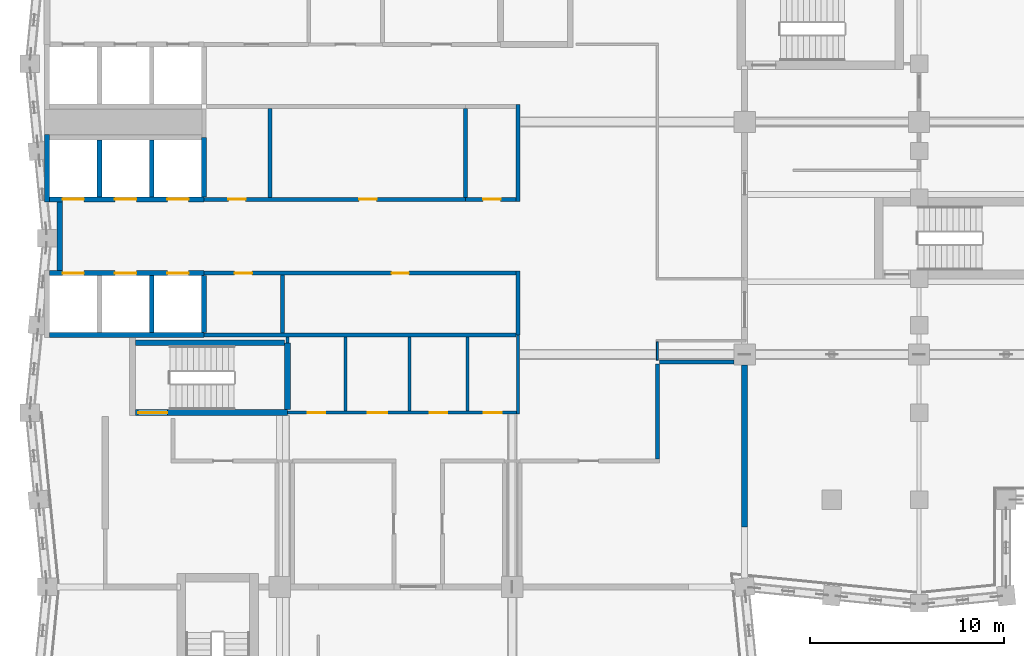
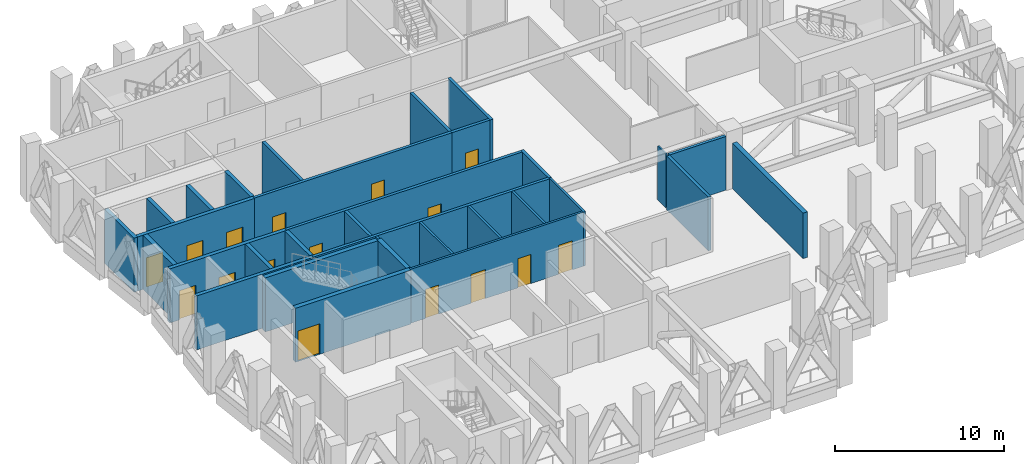
# One storey, part 9 of 18: 32 walls, 16 doors, 16 openings.
"""IFC4 building model written with IfcOpenShell, lengths in metres."""

from ifc_helpers import new_model, si_unit, direction, frame, frame_2d, origin, place, context, subcontext, project, spatial, rectangle, extrude, material, layer, layer_set, type_object, element, fill, save


model = new_model("IFC4")

# Units and contexts
model_context = context("Model", 3, precision=1e-05, world=origin(), true_north=direction((0.0, 1.0)))
body_context = subcontext(model_context, "Body", "Model", "MODEL_VIEW")
ifc_project = project(units=[si_unit("LENGTHUNIT", "METRE"), si_unit("AREAUNIT", "SQUARE_METRE"), si_unit("VOLUMEUNIT", "CUBIC_METRE"), si_unit("PLANEANGLEUNIT", "RADIAN"), si_unit("MASSUNIT", "GRAM", prefix="KILO")], contexts=[model_context])

# Site, building, storey
site_placement = place(None, origin())
site = spatial("IfcSite", under=ifc_project, at=site_placement, CompositionType="ELEMENT")
building_placement = place(site_placement, origin())
building = spatial("IfcBuilding", under=site, at=building_placement, Name="Brondeck Convention Tower", CompositionType="ELEMENT")
storey_placement = place(building_placement, frame((0.0, 0.0, 248.199951171875)))
storey = spatial("IfcBuildingStorey", under=building, at=storey_placement, Name="L61", CompositionType="ELEMENT", Elevation=248.199951171875)

# Wall
ifc_material_1 = material(Name="Concrete compartment wall C30/37", Category="concrete")
ifc_layer_1 = layer(ifc_material_1, 0.300048828125)
ifc_layer_set_1 = layer_set([ifc_layer_1], Name="Compartment wall 300")
wall_type_1 = type_object("IfcWallType", Name="Compartment wall 300", PredefinedType="PARTITIONING", material=ifc_layer_set_1)
wall_1_placement = place(storey_placement, frame((36.0, 38.445068359375, 0.0), z_axis=(0.0, 0.0, 1.0), x_axis=(0.0, -1.0, 0.0)))
element("IfcWall", 1, at=wall_1_placement, inside=storey, type_object=wall_type_1, Name="FLR-L61-W026", PredefinedType="PARTITIONING", context=body_context, shape_type="SweptSolid", body=[
    extrude(rectangle(XDim=8.344970703125, YDim=0.300048828125, at=frame_2d((4.17236328125, 0.0))), origin(), (0.0, 0.0, 1.0), 3.280029296875),
])

# Wall, openings, doors
ifc_material_2 = material(Name="Concrete C50/60", Category="concrete")
ifc_layer_2 = layer(ifc_material_2, 0.14990234375)
ifc_layer_set_2 = layer_set([ifc_layer_2], Name="Core beam-seat wall 150 Concrete C50/60")
wall_type_2 = type_object("IfcWallType", Name="Core beam-seat wall 150 Concrete C50/60", PredefinedType="SHEAR", material=ifc_layer_set_2)
wall_2_placement = place(storey_placement, frame((12.39990234375, 36.0, 0.0), z_axis=(0.0, 0.0, 1.0), x_axis=(1.0, 0.0, 0.0)))
wall_2 = element("IfcWall", 2, at=wall_2_placement, inside=storey, type_object=wall_type_2, Name="L61 core wall", PredefinedType="SHEAR", context=body_context, shape_type="SweptSolid", body=[
    extrude(rectangle(XDim=11.8251953125, YDim=0.14990234375, at=frame_2d((5.91259765625, 0.0))), origin(), (0.0, 0.0, 1.0), 3.900146484375),
])
opening_1_placement = place(wall_2_placement, frame((1.050048828125, 0.0, 0.0)))
opening_1 = element("IfcOpeningElement", 3, at=opening_1_placement, cuts=wall_2, Name="Opening C33-03", PredefinedType="OPENING", context=body_context, shape_type="SweptSolid", body=[
    extrude(rectangle(XDim=0.89990234375, YDim=2.10009765625, at=frame_2d((0.449951171875, 1.050048828125))), frame((0.0, 0.0849609375, 0.0), z_axis=(0.0, -1.0, 0.0), x_axis=(1.0, 0.0, 0.0)), (0.0, 0.0, 1.0), 0.169921875),
])
opening_2_placement = place(wall_2_placement, frame((4.14990234375, 0.0, 0.0)))
opening_2 = element("IfcOpeningElement", 4, at=opening_2_placement, cuts=wall_2, Name="Opening C33-04", PredefinedType="OPENING", context=body_context, shape_type="SweptSolid", body=[
    extrude(rectangle(XDim=1.0, YDim=2.10009765625, at=frame_2d((0.5, 1.050048828125))), frame((0.0, 0.0849609375, 0.0), z_axis=(0.0, -1.0, 0.0), x_axis=(1.0, 0.0, 0.0)), (0.0, 0.0, 1.0), 0.169921875),
])
opening_3_placement = place(wall_2_placement, frame((7.35009765625, 0.0, 0.0)))
opening_3 = element("IfcOpeningElement", 5, at=opening_3_placement, cuts=wall_2, Name="Opening C33-05", PredefinedType="OPENING", context=body_context, shape_type="SweptSolid", body=[
    extrude(rectangle(XDim=0.89990234375, YDim=2.10009765625, at=frame_2d((0.449951171875, 1.050048828125))), frame((0.0, 0.0849609375, 0.0), z_axis=(0.0, -1.0, 0.0), x_axis=(1.0, 0.0, 0.0)), (0.0, 0.0, 1.0), 0.169921875),
])
opening_4_placement = place(wall_2_placement, frame((10.125, 0.0, 0.0)))
opening_4 = element("IfcOpeningElement", 6, at=opening_4_placement, cuts=wall_2, Name="Opening C33-06", PredefinedType="OPENING", context=body_context, shape_type="SweptSolid", body=[
    extrude(rectangle(XDim=0.949951171875, YDim=2.10009765625, at=frame_2d((0.47509765625, 1.050048828125))), frame((0.0, 0.0849609375, 0.0), z_axis=(0.0, -1.0, 0.0), x_axis=(1.0, 0.0, 0.0)), (0.0, 0.0, 1.0), 0.169921875),
])
ifc_material_3 = material(Name="Steel fire door", Category="steel")
door_type_1 = type_object("IfcDoorType", Name="Room door 1000x2100 EI 60", OperationType="NOTDEFINED", PredefinedType="DOOR", material=ifc_material_3)
door_1_placement = place(opening_2_placement, origin())
door_1 = element("IfcDoor", 7, at=door_1_placement, inside=storey, type_object=door_type_1, Name="L61 Room door FR-2", OperationType="SINGLE_SWING_LEFT", OverallHeight=2.10009765625, OverallWidth=1.0, PredefinedType="DOOR", context=body_context, shape_type="SweptSolid", body=[
    extrude(rectangle(XDim=1.0, YDim=2.10009765625, at=frame_2d((0.5, 1.050048828125))), frame((0.0, 0.02490234375, 0.0), z_axis=(0.0, -1.0, 0.0), x_axis=(1.0, 0.0, 0.0)), (0.0, 0.0, 1.0), 0.050048828125),
])
fill(opening_2, door_1)
door_type_2 = type_object("IfcDoorType", Name="Room door 900x2100 EI 60", OperationType="NOTDEFINED", PredefinedType="DOOR", material=ifc_material_3)
door_2_placement = place(opening_1_placement, origin())
door_2 = element("IfcDoor", 8, at=door_2_placement, inside=storey, type_object=door_type_2, Name="L61 Room door FR-1", OperationType="SINGLE_SWING_RIGHT", OverallHeight=2.10009765625, OverallWidth=0.89990234375, PredefinedType="DOOR", context=body_context, shape_type="SweptSolid", body=[
    extrude(rectangle(XDim=0.89990234375, YDim=2.10009765625, at=frame_2d((0.449951171875, 1.050048828125))), frame((0.0, 0.02490234375, 0.0), z_axis=(0.0, -1.0, 0.0), x_axis=(1.0, 0.0, 0.0)), (0.0, 0.0, 1.0), 0.050048828125),
])
fill(opening_1, door_2)
door_3_placement = place(opening_3_placement, origin())
door_3 = element("IfcDoor", 9, at=door_3_placement, inside=storey, type_object=door_type_2, Name="L61 Room door FR-3", OperationType="SINGLE_SWING_RIGHT", OverallHeight=2.10009765625, OverallWidth=0.89990234375, PredefinedType="DOOR", context=body_context, shape_type="SweptSolid", body=[
    extrude(rectangle(XDim=0.89990234375, YDim=2.10009765625, at=frame_2d((0.449951171875, 1.050048828125))), frame((0.0, 0.02490234375, 0.0), z_axis=(0.0, -1.0, 0.0), x_axis=(1.0, 0.0, 0.0)), (0.0, 0.0, 1.0), 0.050048828125),
])
fill(opening_3, door_3)
door_type_3 = type_object("IfcDoorType", Name="Room door 950x2100 EI 60", OperationType="NOTDEFINED", PredefinedType="DOOR", material=ifc_material_3)
door_4_placement = place(opening_4_placement, origin())
door_4 = element("IfcDoor", 10, at=door_4_placement, inside=storey, type_object=door_type_3, Name="L61 Room door FR-4", OperationType="SINGLE_SWING_LEFT", OverallHeight=2.10009765625, OverallWidth=0.949951171875, PredefinedType="DOOR", context=body_context, shape_type="SweptSolid", body=[
    extrude(rectangle(XDim=0.949951171875, YDim=2.10009765625, at=frame_2d((0.47509765625, 1.050048828125))), frame((0.0, 0.02490234375, 0.0), z_axis=(0.0, -1.0, 0.0), x_axis=(1.0, 0.0, 0.0)), (0.0, 0.0, 1.0), 0.050048828125),
])
fill(opening_4, door_4)

# Walls
wall_3_placement = place(storey_placement, frame((24.300048828125, 35.925048828125, 0.0), z_axis=(0.0, 0.0, 1.0), x_axis=(0.0, 1.0, 0.0)))
element("IfcWall", 11, at=wall_3_placement, inside=storey, type_object=wall_type_2, Name="L61 core wall", PredefinedType="SHEAR", context=body_context, shape_type="SweptSolid", body=[
    extrude(rectangle(XDim=4.074951171875, YDim=0.14990234375, at=frame_2d((2.03759765625, 0.0))), origin(), (0.0, 0.0, 1.0), 3.900146484375),
])
ifc_layer_3 = layer(ifc_material_2, 0.199951171875)
ifc_layer_set_3 = layer_set([ifc_layer_3], Name="Core beam-seat wall 200 Concrete C50/60")
wall_type_3 = type_object("IfcWallType", Name="Core beam-seat wall 200 Concrete C50/60", PredefinedType="SHEAR", material=ifc_layer_set_3)
wall_4_placement = place(storey_placement, frame((24.300048828125, 46.89990234375, 0.0), z_axis=(0.0, 0.0, 1.0), x_axis=(0.0, 1.0, 0.0)))
element("IfcWall", 12, at=wall_4_placement, inside=storey, type_object=wall_type_3, Name="L61 core wall", PredefinedType="SHEAR", context=body_context, shape_type="SweptSolid", body=[
    extrude(rectangle(XDim=5.0, YDim=0.199951171875, at=frame_2d((2.5, 0.0))), origin(), (0.0, 0.0, 1.0), 3.900146484375),
])
ifc_layer_4 = layer(ifc_material_2, 0.300048828125)
ifc_layer_set_4 = layer_set([ifc_layer_4], Name="Core outer wall 300 Concrete C50/60")
wall_type_4 = type_object("IfcWallType", Name="Core outer wall 300 Concrete C50/60", PredefinedType="SHEAR", material=ifc_layer_set_4)
wall_5_placement = place(storey_placement, frame((0.64990234375, 43.324951171875, 0.0), z_axis=(0.0, 0.0, 1.0), x_axis=(0.0, 1.0, 0.0)))
element("IfcWall", 13, at=wall_5_placement, inside=storey, type_object=wall_type_4, Name="L61 core wall", PredefinedType="SHEAR", context=body_context, shape_type="SweptSolid", body=[
    extrude(rectangle(XDim=3.550048828125, YDim=0.300048828125, at=frame_2d((1.77490234375, 0.0))), origin(), (0.0, 0.0, 1.0), 3.900146484375),
])
ifc_material_4 = material(Name="Fire-rated gypsum board partition")
ifc_layer_5 = layer(ifc_material_4, 0.14990234375)
ifc_layer_set_5 = layer_set([ifc_layer_5], Name="Core partition 150 EI 60")
wall_type_5 = type_object("IfcWallType", Name="Core partition 150 EI 60", PredefinedType="PARTITIONING", material=ifc_layer_set_5)
wall_6_placement = place(storey_placement, frame((12.39990234375, 39.60009765625, 0.0), z_axis=(0.0, 0.0, 1.0), x_axis=(0.0, 1.0, 0.0)))
element("IfcWall", 14, at=wall_6_placement, inside=storey, type_object=wall_type_5, Name="L61 core wall", PredefinedType="PARTITIONING", context=body_context, shape_type="SweptSolid", body=[
    extrude(rectangle(XDim=0.2998046875, YDim=0.14990234375, at=frame_2d((0.14990234375, 0.0))), origin(), (0.0, 0.0, 1.0), 3.900146484375),
])
for number, where, z_axis, x_axis, name in (
    (15, (15.39990234375, 36.074951171875, 0.0), (0.0, 0.0, 1.0), (0.0, 1.0, 0.0), "L61 core wall"),
    (16, (18.699951171875, 36.074951171875, 0.0), (0.0, 0.0, 1.0), (0.0, 1.0, 0.0), "L61 core wall"),
    (17, (21.699951171875, 36.074951171875, 0.0), (0.0, 0.0, 1.0), (0.0, 1.0, 0.0), "L61 core wall"),
):
    element("IfcWall", number, at=place(storey_placement, frame(where, z_axis=z_axis, x_axis=x_axis)), inside=storey, type_object=wall_type_5, Name=name, PredefinedType="PARTITIONING", context=body_context, shape_type="SweptSolid", body=[
        extrude(rectangle(XDim=3.824951171875, YDim=0.14990234375, at=frame_2d((1.91259765625, 0.0))), origin(), (0.0, 0.0, 1.0), 3.900146484375),
    ])
ifc_layer_6 = layer(ifc_material_2, 0.25)
ifc_layer_set_6 = layer_set([ifc_layer_6], Name="Lift shaft wall 250 Concrete C50/60")
wall_type_6 = type_object("IfcWallType", Name="Lift shaft wall 250 Concrete C50/60", PredefinedType="SHEAR", material=ifc_layer_set_6)
wall_7_placement = place(storey_placement, frame((0.125, 40.0, 0.0), z_axis=(0.0, 0.0, 1.0), x_axis=(1.0, 0.0, 0.0)))
element("IfcWall", 18, at=wall_7_placement, inside=storey, type_object=wall_type_6, Name="L61 core wall", PredefinedType="SHEAR", context=body_context, shape_type="SweptSolid", body=[
    extrude(rectangle(XDim=7.97509765625, YDim=0.25, at=frame_2d((3.987548828125, 0.0))), origin(), (0.0, 0.0, 1.0), 3.900146484375),
])

# Wall, openings, doors
wall_8_placement = place(storey_placement, frame((0.125, 43.199951171875, 0.0), z_axis=(0.0, 0.0, 1.0), x_axis=(1.0, 0.0, 0.0)))
wall_8 = element("IfcWall", 19, at=wall_8_placement, inside=storey, type_object=wall_type_6, Name="L61 core wall", PredefinedType="SHEAR", context=body_context, shape_type="SweptSolid", body=[
    extrude(rectangle(XDim=7.97509765625, YDim=0.25, at=frame_2d((3.987548828125, 0.0))), origin(), (0.0, 0.0, 1.0), 3.900146484375),
])
opening_5_placement = place(wall_8_placement, frame((0.675048828125, 0.0, 0.0)))
opening_5 = element("IfcOpeningElement", 20, at=opening_5_placement, cuts=wall_8, Name="Opening C33-22", PredefinedType="OPENING", context=body_context, shape_type="SweptSolid", body=[
    extrude(rectangle(XDim=1.10009765625, YDim=2.10009765625, at=frame_2d((0.550048828125, 1.050048828125))), frame((0.0, 0.135009765625, 0.0), z_axis=(0.0, -1.0, 0.0), x_axis=(1.0, 0.0, 0.0)), (0.0, 0.0, 1.0), 0.27001953125),
])
opening_6_placement = place(wall_8_placement, frame((3.375, 0.0, 0.0)))
opening_6 = element("IfcOpeningElement", 21, at=opening_6_placement, cuts=wall_8, Name="Opening C33-23", PredefinedType="OPENING", context=body_context, shape_type="SweptSolid", body=[
    extrude(rectangle(XDim=1.10009765625, YDim=2.10009765625, at=frame_2d((0.550048828125, 1.050048828125))), frame((0.0, 0.135009765625, 0.0), z_axis=(0.0, -1.0, 0.0), x_axis=(1.0, 0.0, 0.0)), (0.0, 0.0, 1.0), 0.27001953125),
])
opening_7_placement = place(wall_8_placement, frame((6.074951171875, 0.0, 0.0)))
opening_7 = element("IfcOpeningElement", 22, at=opening_7_placement, cuts=wall_8, Name="Opening C33-24", PredefinedType="OPENING", context=body_context, shape_type="SweptSolid", body=[
    extrude(rectangle(XDim=1.10009765625, YDim=2.10009765625, at=frame_2d((0.550048828125, 1.050048828125))), frame((0.0, 0.135009765625, 0.0), z_axis=(0.0, -1.0, 0.0), x_axis=(1.0, 0.0, 0.0)), (0.0, 0.0, 1.0), 0.27001953125),
])
ifc_material_5 = material(Name="Stainless steel lift door", Category="steel")
door_type_4 = type_object("IfcDoorType", Name="Lift landing door 1100x2100 EI 180", OperationType="DOUBLE_DOOR_SLIDING", PredefinedType="DOOR", material=ifc_material_5)
door_5_placement = place(opening_5_placement, origin())
door_5 = element("IfcDoor", 23, at=door_5_placement, inside=storey, type_object=door_type_4, Name="L61 Lift landing door HR1", OperationType="DOUBLE_DOOR_SLIDING", OverallHeight=2.10009765625, OverallWidth=1.10009765625, PredefinedType="DOOR", context=body_context, shape_type="SweptSolid", body=[
    extrude(rectangle(XDim=1.10009765625, YDim=2.10009765625, at=frame_2d((0.550048828125, 1.050048828125))), frame((0.0, 0.02490234375, 0.0), z_axis=(0.0, -1.0, 0.0), x_axis=(1.0, 0.0, 0.0)), (0.0, 0.0, 1.0), 0.050048828125),
])
fill(opening_5, door_5)
door_6_placement = place(opening_6_placement, origin())
door_6 = element("IfcDoor", 24, at=door_6_placement, inside=storey, type_object=door_type_4, Name="L61 Lift landing door HR2", OperationType="DOUBLE_DOOR_SLIDING", OverallHeight=2.10009765625, OverallWidth=1.10009765625, PredefinedType="DOOR", context=body_context, shape_type="SweptSolid", body=[
    extrude(rectangle(XDim=1.10009765625, YDim=2.10009765625, at=frame_2d((0.550048828125, 1.050048828125))), frame((0.0, 0.02490234375, 0.0), z_axis=(0.0, -1.0, 0.0), x_axis=(1.0, 0.0, 0.0)), (0.0, 0.0, 1.0), 0.050048828125),
])
fill(opening_6, door_6)
door_7_placement = place(opening_7_placement, origin())
door_7 = element("IfcDoor", 25, at=door_7_placement, inside=storey, type_object=door_type_4, Name="L61 Lift landing door HR3", OperationType="DOUBLE_DOOR_SLIDING", OverallHeight=2.10009765625, OverallWidth=1.10009765625, PredefinedType="DOOR", context=body_context, shape_type="SweptSolid", body=[
    extrude(rectangle(XDim=1.10009765625, YDim=2.10009765625, at=frame_2d((0.550048828125, 1.050048828125))), frame((0.0, 0.02490234375, 0.0), z_axis=(0.0, -1.0, 0.0), x_axis=(1.0, 0.0, 0.0)), (0.0, 0.0, 1.0), 0.050048828125),
])
fill(opening_7, door_7)

wall_9_placement = place(storey_placement, frame((0.125, 47.0, 0.0), z_axis=(0.0, 0.0, 1.0), x_axis=(1.0, 0.0, 0.0)))
wall_9 = element("IfcWall", 26, at=wall_9_placement, inside=storey, type_object=wall_type_6, Name="L61 core wall", PredefinedType="SHEAR", context=body_context, shape_type="SweptSolid", body=[
    extrude(rectangle(XDim=7.97509765625, YDim=0.25, at=frame_2d((3.987548828125, 0.0))), origin(), (0.0, 0.0, 1.0), 3.900146484375),
])
opening_8_placement = place(wall_9_placement, frame((0.675048828125, 0.0, 0.0)))
opening_8 = element("IfcOpeningElement", 27, at=opening_8_placement, cuts=wall_9, Name="Opening C33-25", PredefinedType="OPENING", context=body_context, shape_type="SweptSolid", body=[
    extrude(rectangle(XDim=1.10009765625, YDim=2.10009765625, at=frame_2d((0.550048828125, 1.050048828125))), frame((0.0, 0.135009765625, 0.0), z_axis=(0.0, -1.0, 0.0), x_axis=(1.0, 0.0, 0.0)), (0.0, 0.0, 1.0), 0.27001953125),
])
opening_9_placement = place(wall_9_placement, frame((3.375, 0.0, 0.0)))
opening_9 = element("IfcOpeningElement", 28, at=opening_9_placement, cuts=wall_9, Name="Opening C33-26", PredefinedType="OPENING", context=body_context, shape_type="SweptSolid", body=[
    extrude(rectangle(XDim=1.10009765625, YDim=2.10009765625, at=frame_2d((0.550048828125, 1.050048828125))), frame((0.0, 0.135009765625, 0.0), z_axis=(0.0, -1.0, 0.0), x_axis=(1.0, 0.0, 0.0)), (0.0, 0.0, 1.0), 0.27001953125),
])
opening_10_placement = place(wall_9_placement, frame((6.074951171875, 0.0, 0.0)))
opening_10 = element("IfcOpeningElement", 29, at=opening_10_placement, cuts=wall_9, Name="Opening C33-27", PredefinedType="OPENING", context=body_context, shape_type="SweptSolid", body=[
    extrude(rectangle(XDim=1.10009765625, YDim=2.10009765625, at=frame_2d((0.550048828125, 1.050048828125))), frame((0.0, 0.135009765625, 0.0), z_axis=(0.0, -1.0, 0.0), x_axis=(1.0, 0.0, 0.0)), (0.0, 0.0, 1.0), 0.27001953125),
])
door_8_placement = place(opening_8_placement, origin())
door_8 = element("IfcDoor", 30, at=door_8_placement, inside=storey, type_object=door_type_4, Name="L61 Lift landing door HR4", OperationType="DOUBLE_DOOR_SLIDING", OverallHeight=2.10009765625, OverallWidth=1.10009765625, PredefinedType="DOOR", context=body_context, shape_type="SweptSolid", body=[
    extrude(rectangle(XDim=1.10009765625, YDim=2.10009765625, at=frame_2d((0.550048828125, 1.050048828125))), frame((0.0, 0.02490234375, 0.0), z_axis=(0.0, -1.0, 0.0), x_axis=(1.0, 0.0, 0.0)), (0.0, 0.0, 1.0), 0.050048828125),
])
fill(opening_8, door_8)
door_9_placement = place(opening_9_placement, origin())
door_9 = element("IfcDoor", 31, at=door_9_placement, inside=storey, type_object=door_type_4, Name="L61 Lift landing door HR5", OperationType="DOUBLE_DOOR_SLIDING", OverallHeight=2.10009765625, OverallWidth=1.10009765625, PredefinedType="DOOR", context=body_context, shape_type="SweptSolid", body=[
    extrude(rectangle(XDim=1.10009765625, YDim=2.10009765625, at=frame_2d((0.550048828125, 1.050048828125))), frame((0.0, 0.02490234375, 0.0), z_axis=(0.0, -1.0, 0.0), x_axis=(1.0, 0.0, 0.0)), (0.0, 0.0, 1.0), 0.050048828125),
])
fill(opening_9, door_9)
door_10_placement = place(opening_10_placement, origin())
door_10 = element("IfcDoor", 32, at=door_10_placement, inside=storey, type_object=door_type_4, Name="L61 Lift landing door HR6", OperationType="DOUBLE_DOOR_SLIDING", OverallHeight=2.10009765625, OverallWidth=1.10009765625, PredefinedType="DOOR", context=body_context, shape_type="SweptSolid", body=[
    extrude(rectangle(XDim=1.10009765625, YDim=2.10009765625, at=frame_2d((0.550048828125, 1.050048828125))), frame((0.0, 0.02490234375, 0.0), z_axis=(0.0, -1.0, 0.0), x_axis=(1.0, 0.0, 0.0)), (0.0, 0.0, 1.0), 0.050048828125),
])
fill(opening_10, door_10)

# Walls
wall_10_placement = place(storey_placement, frame((0.0, 46.875, 0.0), z_axis=(0.0, 0.0, 1.0), x_axis=(0.0, 1.0, 0.0)))
element("IfcWall", 33, at=wall_10_placement, inside=storey, type_object=wall_type_6, Name="L61 core wall", PredefinedType="SHEAR", context=body_context, shape_type="SweptSolid", body=[
    extrude(rectangle(XDim=3.47509765625, YDim=0.25, at=frame_2d((1.737548828125, 0.0))), origin(), (0.0, 0.0, 1.0), 3.900146484375),
])
for number, where, z_axis, x_axis, name in (
    (34, (2.699951171875, 47.125, 0.0), (0.0, 0.0, 1.0), (0.0, 1.0, 0.0), "L61 core wall"),
    (35, (5.39990234375, 40.125, 0.0), (0.0, 0.0, 1.0), (0.0, 1.0, 0.0), "L61 core wall"),
    (36, (5.39990234375, 47.125, 0.0), (0.0, 0.0, 1.0), (0.0, 1.0, 0.0), "L61 core wall"),
    (37, (8.10009765625, 40.125, 0.0), (0.0, 0.0, 1.0), (0.0, 1.0, 0.0), "L61 core wall"),
):
    element("IfcWall", number, at=place(storey_placement, frame(where, z_axis=z_axis, x_axis=x_axis)), inside=storey, type_object=wall_type_6, Name=name, PredefinedType="SHEAR", context=body_context, shape_type="SweptSolid", body=[
        extrude(rectangle(XDim=2.949951171875, YDim=0.25, at=frame_2d((1.47509765625, 0.0))), origin(), (0.0, 0.0, 1.0), 3.900146484375),
    ])
wall_11_placement = place(storey_placement, frame((8.10009765625, 47.125, 0.0), z_axis=(0.0, 0.0, 1.0), x_axis=(0.0, 1.0, 0.0)))
element("IfcWall", 38, at=wall_11_placement, inside=storey, type_object=wall_type_6, Name="L61 core wall", PredefinedType="SHEAR", context=body_context, shape_type="SweptSolid", body=[
    extrude(rectangle(XDim=3.074951171875, YDim=0.25, at=frame_2d((1.53759765625, 0.0))), origin(), (0.0, 0.0, 1.0), 3.900146484375),
])
ifc_material_6 = material(Name="Concrete block wall C16/20", Category="concrete")
ifc_layer_7 = layer(ifc_material_6, 0.199951171875)
ifc_layer_set_7 = layer_set([ifc_layer_7], Name="Plant room wall 200")
wall_type_7 = type_object("IfcWallType", Name="Plant room wall 200", PredefinedType="PARTITIONING", material=ifc_layer_set_7)
wall_12_placement = place(storey_placement, frame((31.5, 38.5, 0.0), z_axis=(0.0, 0.0, 1.0), x_axis=(0.0, -1.0, 0.0)))
element("IfcWall", 39, at=wall_12_placement, inside=storey, type_object=wall_type_7, Name="FLR-L61-W027", PredefinedType="PARTITIONING", context=body_context, shape_type="SweptSolid", body=[
    extrude(rectangle(XDim=4.89990234375, YDim=0.199951171875, at=frame_2d((2.449951171875, 0.0))), origin(), (0.0, 0.0, 1.0), 3.880126953125),
])
wall_13_placement = place(storey_placement, frame((31.60009765625, 38.60009765625, 0.0), z_axis=(0.0, 0.0, 1.0), x_axis=(1.0, 0.0, 0.0)))
element("IfcWall", 40, at=wall_13_placement, inside=storey, type_object=wall_type_7, Name="FLR-L61-W028", PredefinedType="PARTITIONING", context=body_context, shape_type="SweptSolid", body=[
    extrude(rectangle(XDim=3.844970703125, YDim=0.199951171875, at=frame_2d((1.92236328125, 0.0))), origin(), (0.0, 0.0, 1.0), 3.880126953125),
])
ifc_layer_8 = layer(ifc_material_4, 0.199951171875)
ifc_layer_set_8 = layer_set([ifc_layer_8], Name="Plant room wall 200 EI 120")
wall_type_8 = type_object("IfcWallType", Name="Plant room wall 200 EI 120", PredefinedType="PARTITIONING", material=ifc_layer_set_8)
wall_14_placement = place(storey_placement, frame((8.10009765625, 40.0, 0.0), z_axis=(0.0, 0.0, 1.0), x_axis=(1.0, 0.0, 0.0)))
element("IfcWall", 41, at=wall_14_placement, inside=storey, type_object=wall_type_8, Name="L61 core wall", PredefinedType="PARTITIONING", context=body_context, shape_type="SweptSolid", body=[
    extrude(rectangle(XDim=16.099853515625, YDim=0.199951171875, at=frame_2d((8.0498046875, 0.0))), origin(), (0.0, 0.0, 1.0), 3.900146484375),
])

# Wall, openings, doors
wall_15_placement = place(storey_placement, frame((8.10009765625, 43.199951171875, 0.0), z_axis=(0.0, 0.0, 1.0), x_axis=(1.0, 0.0, 0.0)))
wall_15 = element("IfcWall", 42, at=wall_15_placement, inside=storey, type_object=wall_type_8, Name="L61 core wall", PredefinedType="PARTITIONING", context=body_context, shape_type="SweptSolid", body=[
    extrude(rectangle(XDim=16.099853515625, YDim=0.199951171875, at=frame_2d((8.0498046875, 0.0))), origin(), (0.0, 0.0, 1.0), 3.900146484375),
])
opening_11_placement = place(wall_15_placement, frame((1.574951171875, 0.0, 0.0)))
opening_11 = element("IfcOpeningElement", 43, at=opening_11_placement, cuts=wall_15, Name="Opening C33-09", PredefinedType="OPENING", context=body_context, shape_type="SweptSolid", body=[
    extrude(rectangle(XDim=0.89990234375, YDim=2.10009765625, at=frame_2d((0.449951171875, 1.050048828125))), frame((0.0, 0.10986328125, 0.0), z_axis=(0.0, -1.0, 0.0), x_axis=(1.0, 0.0, 0.0)), (0.0, 0.0, 1.0), 0.219970703125),
])
opening_12_placement = place(wall_15_placement, frame((9.675048828125, 0.0, 0.0)))
opening_12 = element("IfcOpeningElement", 44, at=opening_12_placement, cuts=wall_15, Name="Opening C33-10", PredefinedType="OPENING", context=body_context, shape_type="SweptSolid", body=[
    extrude(rectangle(XDim=0.89990234375, YDim=2.10009765625, at=frame_2d((0.449951171875, 1.050048828125))), frame((0.0, 0.10986328125, 0.0), z_axis=(0.0, -1.0, 0.0), x_axis=(1.0, 0.0, 0.0)), (0.0, 0.0, 1.0), 0.219970703125),
])
door_type_5 = type_object("IfcDoorType", Name="Room door 900x2100 EI 120", OperationType="NOTDEFINED", PredefinedType="DOOR", material=ifc_material_3)
door_11_placement = place(opening_11_placement, origin())
door_11 = element("IfcDoor", 45, at=door_11_placement, inside=storey, type_object=door_type_5, Name="L61 Room door FZ-S-8.1-1", OperationType="SINGLE_SWING_RIGHT", OverallHeight=2.10009765625, OverallWidth=0.89990234375, PredefinedType="DOOR", context=body_context, shape_type="SweptSolid", body=[
    extrude(rectangle(XDim=0.89990234375, YDim=2.10009765625, at=frame_2d((0.449951171875, 1.050048828125))), frame((0.0, 0.02490234375, 0.0), z_axis=(0.0, -1.0, 0.0), x_axis=(1.0, 0.0, 0.0)), (0.0, 0.0, 1.0), 0.050048828125),
])
fill(opening_11, door_11)
door_12_placement = place(opening_12_placement, origin())
door_12 = element("IfcDoor", 46, at=door_12_placement, inside=storey, type_object=door_type_5, Name="L61 Room door FZ-S-8.1-2", OperationType="SINGLE_SWING_LEFT", OverallHeight=2.10009765625, OverallWidth=0.89990234375, PredefinedType="DOOR", context=body_context, shape_type="SweptSolid", body=[
    extrude(rectangle(XDim=0.89990234375, YDim=2.10009765625, at=frame_2d((0.449951171875, 1.050048828125))), frame((0.0, 0.02490234375, 0.0), z_axis=(0.0, -1.0, 0.0), x_axis=(1.0, 0.0, 0.0)), (0.0, 0.0, 1.0), 0.050048828125),
])
fill(opening_12, door_12)

wall_16_placement = place(storey_placement, frame((8.10009765625, 47.0, 0.0), z_axis=(0.0, 0.0, 1.0), x_axis=(1.0, 0.0, 0.0)))
wall_16 = element("IfcWall", 47, at=wall_16_placement, inside=storey, type_object=wall_type_8, Name="L61 core wall", PredefinedType="PARTITIONING", context=body_context, shape_type="SweptSolid", body=[
    extrude(rectangle(XDim=13.5, YDim=0.199951171875, at=frame_2d((6.75, 0.0))), origin(), (0.0, 0.0, 1.0), 3.900146484375),
])
opening_13_placement = place(wall_16_placement, frame((1.25, 0.0, 0.0)))
opening_13 = element("IfcOpeningElement", 48, at=opening_13_placement, cuts=wall_16, Name="Opening C33-07", PredefinedType="OPENING", context=body_context, shape_type="SweptSolid", body=[
    extrude(rectangle(XDim=0.89990234375, YDim=2.10009765625, at=frame_2d((0.449951171875, 1.050048828125))), frame((0.0, 0.10986328125, 0.0), z_axis=(0.0, -1.0, 0.0), x_axis=(1.0, 0.0, 0.0)), (0.0, 0.0, 1.0), 0.219970703125),
])
opening_14_placement = place(wall_16_placement, frame((8.0, 0.0, 0.0)))
opening_14 = element("IfcOpeningElement", 49, at=opening_14_placement, cuts=wall_16, Name="Opening C33-08", PredefinedType="OPENING", context=body_context, shape_type="SweptSolid", body=[
    extrude(rectangle(XDim=0.89990234375, YDim=2.10009765625, at=frame_2d((0.449951171875, 1.050048828125))), frame((0.0, 0.10986328125, 0.0), z_axis=(0.0, -1.0, 0.0), x_axis=(1.0, 0.0, 0.0)), (0.0, 0.0, 1.0), 0.219970703125),
])
door_13_placement = place(opening_13_placement, origin())
door_13 = element("IfcDoor", 50, at=door_13_placement, inside=storey, type_object=door_type_5, Name="L61 Room door FZ-N-8.1-1", OperationType="SINGLE_SWING_LEFT", OverallHeight=2.10009765625, OverallWidth=0.89990234375, PredefinedType="DOOR", context=body_context, shape_type="SweptSolid", body=[
    extrude(rectangle(XDim=0.89990234375, YDim=2.10009765625, at=frame_2d((0.449951171875, 1.050048828125))), frame((0.0, 0.02490234375, 0.0), z_axis=(0.0, -1.0, 0.0), x_axis=(1.0, 0.0, 0.0)), (0.0, 0.0, 1.0), 0.050048828125),
])
fill(opening_13, door_13)
door_14_placement = place(opening_14_placement, origin())
door_14 = element("IfcDoor", 51, at=door_14_placement, inside=storey, type_object=door_type_5, Name="L61 Room door FZ-N-8.1-2", OperationType="SINGLE_SWING_RIGHT", OverallHeight=2.10009765625, OverallWidth=0.89990234375, PredefinedType="DOOR", context=body_context, shape_type="SweptSolid", body=[
    extrude(rectangle(XDim=0.89990234375, YDim=2.10009765625, at=frame_2d((0.449951171875, 1.050048828125))), frame((0.0, 0.02490234375, 0.0), z_axis=(0.0, -1.0, 0.0), x_axis=(1.0, 0.0, 0.0)), (0.0, 0.0, 1.0), 0.050048828125),
])
fill(opening_14, door_14)

# Walls
wall_17_placement = place(storey_placement, frame((11.5, 47.10009765625, 0.0), z_axis=(0.0, 0.0, 1.0), x_axis=(0.0, 1.0, 0.0)))
element("IfcWall", 52, at=wall_17_placement, inside=storey, type_object=wall_type_8, Name="L61 core wall", PredefinedType="PARTITIONING", context=body_context, shape_type="SweptSolid", body=[
    extrude(rectangle(XDim=4.599853515625, YDim=0.199951171875, at=frame_2d((2.2998046875, 0.0))), origin(), (0.0, 0.0, 1.0), 3.900146484375),
])
wall_18_placement = place(storey_placement, frame((12.14990234375, 40.10009765625, 0.0), z_axis=(0.0, 0.0, 1.0), x_axis=(0.0, 1.0, 0.0)))
element("IfcWall", 53, at=wall_18_placement, inside=storey, type_object=wall_type_8, Name="L61 core wall", PredefinedType="PARTITIONING", context=body_context, shape_type="SweptSolid", body=[
    extrude(rectangle(XDim=3.0, YDim=0.199951171875, at=frame_2d((1.5, 0.0))), origin(), (0.0, 0.0, 1.0), 3.900146484375),
])
wall_19_placement = place(storey_placement, frame((21.60009765625, 47.10009765625, 0.0), z_axis=(0.0, 0.0, 1.0), x_axis=(0.0, 1.0, 0.0)))
element("IfcWall", 54, at=wall_19_placement, inside=storey, type_object=wall_type_8, Name="L61 core wall", PredefinedType="PARTITIONING", context=body_context, shape_type="SweptSolid", body=[
    extrude(rectangle(XDim=4.599853515625, YDim=0.199951171875, at=frame_2d((2.2998046875, 0.0))), origin(), (0.0, 0.0, 1.0), 3.900146484375),
])
wall_20_placement = place(storey_placement, frame((24.300048828125, 40.0, 0.0), z_axis=(0.0, 0.0, 1.0), x_axis=(0.0, 1.0, 0.0)))
element("IfcWall", 55, at=wall_20_placement, inside=storey, type_object=wall_type_8, Name="L61 core wall", PredefinedType="PARTITIONING", context=body_context, shape_type="SweptSolid", body=[
    extrude(rectangle(XDim=3.300048828125, YDim=0.199951171875, at=frame_2d((1.64990234375, 0.0))), origin(), (0.0, 0.0, 1.0), 3.900146484375),
])

# Wall, opening, door
ifc_layer_9 = layer(ifc_material_4, 0.199951171875)
ifc_layer_set_9 = layer_set([ifc_layer_9], Name="Riser wall 200 EI 120")
wall_type_9 = type_object("IfcWallType", Name="Riser wall 200 EI 120", PredefinedType="PARTITIONING", material=ifc_layer_set_9)
wall_21_placement = place(storey_placement, frame((21.60009765625, 47.0, 0.0), z_axis=(0.0, 0.0, 1.0), x_axis=(1.0, 0.0, 0.0)))
wall_21 = element("IfcWall", 56, at=wall_21_placement, inside=storey, type_object=wall_type_9, Name="L61 core wall", PredefinedType="PARTITIONING", context=body_context, shape_type="SweptSolid", body=[
    extrude(rectangle(XDim=2.599853515625, YDim=0.199951171875, at=frame_2d((1.2998046875, 0.0))), origin(), (0.0, 0.0, 1.0), 3.900146484375),
])
opening_15_placement = place(wall_21_placement, frame((0.89990234375, 0.0, 0.0)))
opening_15 = element("IfcOpeningElement", 57, at=opening_15_placement, cuts=wall_21, Name="Opening C33-02", PredefinedType="OPENING", context=body_context, shape_type="SweptSolid", body=[
    extrude(rectangle(XDim=0.89990234375, YDim=2.10009765625, at=frame_2d((0.449951171875, 1.050048828125))), frame((0.0, 0.10986328125, 0.0), z_axis=(0.0, -1.0, 0.0), x_axis=(1.0, 0.0, 0.0)), (0.0, 0.0, 1.0), 0.219970703125),
])
door_type_6 = type_object("IfcDoorType", Name="Riser door 900x2100 EI 120", OperationType="NOTDEFINED", PredefinedType="DOOR", material=ifc_material_3)
door_15_placement = place(opening_15_placement, origin())
door_15 = element("IfcDoor", 58, at=door_15_placement, inside=storey, type_object=door_type_6, Name="L61 Riser door EN-1", OperationType="SINGLE_SWING_LEFT", OverallHeight=2.10009765625, OverallWidth=0.89990234375, PredefinedType="DOOR", context=body_context, shape_type="SweptSolid", body=[
    extrude(rectangle(XDim=0.89990234375, YDim=2.10009765625, at=frame_2d((0.449951171875, 1.050048828125))), frame((0.0, 0.02490234375, 0.0), z_axis=(0.0, -1.0, 0.0), x_axis=(1.0, 0.0, 0.0)), (0.0, 0.0, 1.0), 0.050048828125),
])
fill(opening_15, door_15)

# Wall
ifc_material_7 = material(Name="Gypsum board partition on steel studs", Category="steel")
ifc_layer_10 = layer(ifc_material_7, 0.10009765625)
ifc_layer_set_10 = layer_set([ifc_layer_10], Name="Room partition 100")
wall_type_10 = type_object("IfcWallType", Name="Room partition 100", PredefinedType="PARTITIONING", material=ifc_layer_set_10)
wall_22_placement = place(storey_placement, frame((31.5, 39.64990234375, 0.0), z_axis=(0.0, 0.0, 1.0), x_axis=(0.0, -1.0, 0.0)))
element("IfcWall", 59, at=wall_22_placement, inside=storey, type_object=wall_type_10, Name="FLR-L61-W029", PredefinedType="PARTITIONING", context=body_context, shape_type="SweptSolid", body=[
    extrude(rectangle(XDim=0.949951171875, YDim=0.10009765625, at=frame_2d((0.47509765625, 0.0))), origin(), (0.0, 0.0, 1.0), 3.880126953125),
])

# Wall, opening, door
ifc_layer_11 = layer(ifc_material_2, 0.300048828125)
ifc_layer_set_11 = layer_set([ifc_layer_11], Name="Stair enclosure wall 300 Concrete C50/60")
wall_type_11 = type_object("IfcWallType", Name="Stair enclosure wall 300 Concrete C50/60", PredefinedType="SHEAR", material=ifc_layer_set_11)
wall_23_placement = place(storey_placement, frame((4.550048828125, 36.0, 0.0), z_axis=(0.0, 0.0, 1.0), x_axis=(1.0, 0.0, 0.0)))
wall_23 = element("IfcWall", 60, at=wall_23_placement, inside=storey, type_object=wall_type_11, Name="L61 core wall", PredefinedType="SHEAR", context=body_context, shape_type="SweptSolid", body=[
    extrude(rectangle(XDim=7.849853515625, YDim=0.300048828125, at=frame_2d((3.9248046875, 0.0))), origin(), (0.0, 0.0, 1.0), 3.900146484375),
])
opening_16_placement = place(wall_23_placement, frame((0.14990234375, 0.0, 0.0)))
opening_16 = element("IfcOpeningElement", 61, at=opening_16_placement, cuts=wall_23, Name="Opening C33-13", PredefinedType="OPENING", context=body_context, shape_type="SweptSolid", body=[
    extrude(rectangle(XDim=1.5, YDim=2.199951171875, at=frame_2d((0.75, 1.10009765625))), frame((0.0, 0.159912109375, 0.0), z_axis=(0.0, -1.0, 0.0), x_axis=(1.0, 0.0, 0.0)), (0.0, 0.0, 1.0), 0.320068359375),
])
door_type_7 = type_object("IfcDoorType", Name="Stair door 1500x2200 EI 90", OperationType="NOTDEFINED", PredefinedType="DOOR", material=ifc_material_3)
door_16_placement = place(opening_16_placement, origin())
door_16 = element("IfcDoor", 62, at=door_16_placement, inside=storey, type_object=door_type_7, Name="L61 Stair door ST-1", OperationType="SINGLE_SWING_RIGHT", OverallHeight=2.199951171875, OverallWidth=1.5, PredefinedType="DOOR", context=body_context, shape_type="SweptSolid", body=[
    extrude(rectangle(XDim=1.5, YDim=2.199951171875, at=frame_2d((0.75, 1.10009765625))), frame((0.0, 0.02490234375, 0.0), z_axis=(0.0, -1.0, 0.0), x_axis=(1.0, 0.0, 0.0)), (0.0, 0.0, 1.0), 0.050048828125),
])
fill(opening_16, door_16)

# Walls
wall_24_placement = place(storey_placement, frame((4.550048828125, 39.60009765625, 0.0), z_axis=(0.0, 0.0, 1.0), x_axis=(1.0, 0.0, 0.0)))
element("IfcWall", 63, at=wall_24_placement, inside=storey, type_object=wall_type_11, Name="L61 core wall", PredefinedType="SHEAR", context=body_context, shape_type="SweptSolid", body=[
    extrude(rectangle(XDim=7.699951171875, YDim=0.300048828125, at=frame_2d((3.85009765625, 0.0))), origin(), (0.0, 0.0, 1.0), 3.900146484375),
])
wall_25_placement = place(storey_placement, frame((12.39990234375, 36.14990234375, 0.0), z_axis=(0.0, 0.0, 1.0), x_axis=(0.0, 1.0, 0.0)))
element("IfcWall", 64, at=wall_25_placement, inside=storey, type_object=wall_type_11, Name="L61 core wall", PredefinedType="SHEAR", context=body_context, shape_type="SweptSolid", body=[
    extrude(rectangle(XDim=3.4501953125, YDim=0.300048828125, at=frame_2d((1.72509765625, 0.0))), origin(), (0.0, 0.0, 1.0), 3.900146484375),
])

save(model, "model.ifc")
